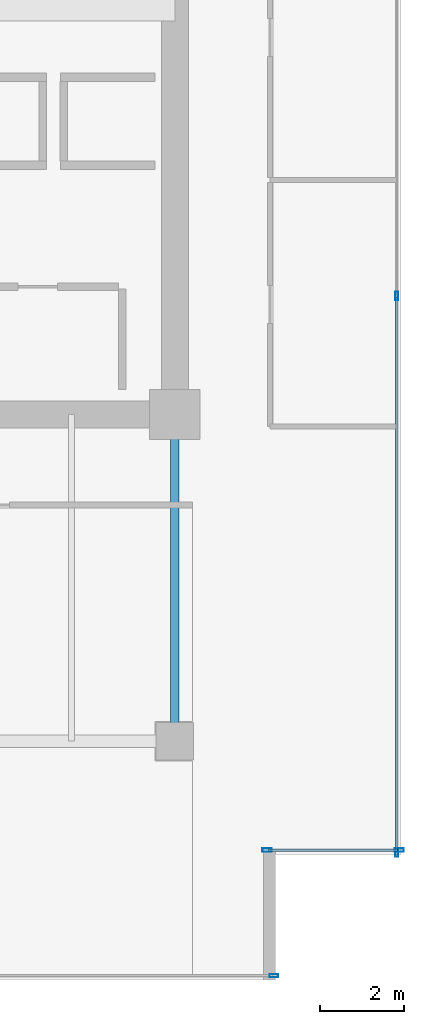
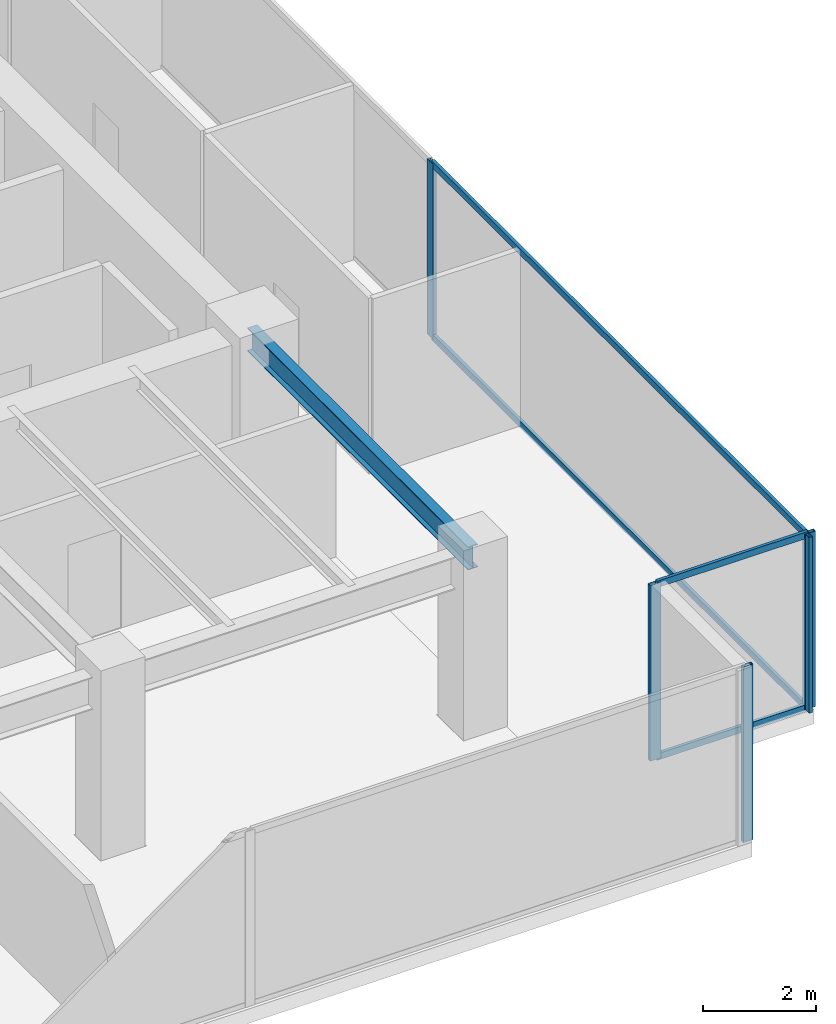
# One storey, part 21 of 33: 9 members, 1 beam, 3 elements without a shape of their own.
"""IFC4 building model written with IfcOpenShell, lengths in metres."""

import ifcopenshell
import ifcopenshell.guid

model = None  # the IFC model being written
_history = None  # IfcOwnerHistory: only IFC2X3 demands one
_inside = {}  # id of a spatial element -> (the spatial element, [elements in it])
_under = {}  # id of a project, library or spatial element -> (it, [spatial elements below it])
_declared = {}  # id of a project -> (the project, [libraries it declares])
_typed = {}  # id of a type object -> (the type object, [elements of that type])
_made_of = {}  # id of a material, layer set ... -> (it, [elements and type objects made of it])


def new_model(schema):
    """Start an empty IFC model of exactly this schema.

    Asked for "IFC4X3", IfcOpenShell would pick the latest addendum, in which some entities
    have other attributes; the version numbers below select the first issue.
    IFC2X3 requires an IfcOwnerHistory on every rooted entity: one is made here for all.
    """
    global model, _history
    if schema == "IFC4X3":
        model = ifcopenshell.file(schema_version=(4, 3, 0, 0))
    else:
        model = ifcopenshell.file(schema=schema)
    _inside.clear()
    _under.clear()
    _declared.clear()
    _typed.clear()
    _made_of.clear()
    _history = None
    if model.schema == "IFC2X3":
        org = make("IfcOrganization", Name="unknown")
        user = make(
            "IfcPersonAndOrganization",
            ThePerson=make("IfcPerson", FamilyName="unknown"),
            TheOrganization=org,
        )
        app = make(
            "IfcApplication",
            ApplicationDeveloper=org,
            Version="unknown",
            ApplicationFullName="unknown",
            ApplicationIdentifier="unknown",
        )
        _history = make(
            "IfcOwnerHistory",
            OwningUser=user,
            OwningApplication=app,
            ChangeAction="ADDED",
            CreationDate=0,
        )
    return model


def make(cls, **values):
    """One entity of the class cls with the attributes given. An attribute that is None is left unset."""
    return model.create_entity(
        cls, **{name: value for name, value in values.items() if value is not None}
    )


def rooted(cls, **values):
    """An entity with a GlobalId (a new one), such as an element, a storey or a relation."""
    return make(cls, GlobalId=ifcopenshell.guid.new(), OwnerHistory=_history, **values)


def si_unit(unit_type, name, prefix=None):
    """IfcSIUnit, for example si_unit("LENGTHUNIT", "METRE", prefix="MILLI")."""
    return make("IfcSIUnit", UnitType=unit_type, Prefix=prefix, Name=name)


def assignment(units):
    """IfcUnitAssignment: the units of a project."""
    return None if units is None else make("IfcUnitAssignment", Units=units)


def point(xyz):
    """IfcCartesianPoint."""
    return None if xyz is None else make("IfcCartesianPoint", Coordinates=xyz)


def direction(xyz):
    """IfcDirection."""
    return None if xyz is None else make("IfcDirection", DirectionRatios=xyz)


def frame(location, z_axis=None, x_axis=None):
    """IfcAxis2Placement3D, a coordinate frame: its origin and axes. An axis left out is left unset."""
    return make(
        "IfcAxis2Placement3D",
        Location=point(location),
        Axis=direction(z_axis),
        RefDirection=direction(x_axis),
    )


def frame_2d(location, x_axis=None):
    """IfcAxis2Placement2D, a coordinate frame in the plane: its origin and x axis."""
    return make(
        "IfcAxis2Placement2D", Location=point(location), RefDirection=direction(x_axis)
    )


def origin():
    """The frame at (0, 0, 0) with its axes left unset."""
    return frame((0.0, 0.0, 0.0))


def origin_2d():
    """The frame at (0, 0) in the plane with its x axis left unset."""
    return frame_2d((0.0, 0.0))


def place(relative_to, where):
    """IfcLocalPlacement: puts the frame where relative to a parent placement (None: the world)."""
    return make(
        "IfcLocalPlacement", PlacementRelTo=relative_to, RelativePlacement=where
    )


def context(
    kind, dimensions, precision=None, world=None, true_north=None, identifier=None
):
    """IfcGeometricRepresentationContext, for example the 3D "Model" context."""
    return make(
        "IfcGeometricRepresentationContext",
        ContextIdentifier=identifier,
        ContextType=kind,
        CoordinateSpaceDimension=dimensions,
        Precision=precision,
        WorldCoordinateSystem=world,
        TrueNorth=true_north,
    )


def subcontext(parent, identifier, kind, view, scale=None):
    """IfcGeometricRepresentationSubContext, for example "Body" below "Model"."""
    return make(
        "IfcGeometricRepresentationSubContext",
        ContextIdentifier=identifier,
        ContextType=kind,
        ParentContext=parent,
        TargetScale=scale,
        TargetView=view,
    )


def project(units=None, contexts=None):
    """IfcProject with its units and contexts."""
    return rooted(
        "IfcProject",
        Name="project",
        RepresentationContexts=contexts,
        UnitsInContext=assignment(units),
    )


def spatial(cls, under=None, at=None, **own):
    """A site, building, storey or space (cls), placed at a placement, below another one or the project."""
    s = rooted(cls, ObjectPlacement=at, **own)
    if under is not None:
        _under.setdefault(under.id(), (under, []))[1].append(s)
    return s


def profile(cls, at=None, kind="AREA", **sizes):
    """A parametric profile (cls). Its sizes go by their IFC names, for example OverallWidth=200.0."""
    return make(cls, ProfileType=kind, Position=at, **sizes)


def hollow_rectangle(**sizes):
    """IfcRectangleHollowProfileDef."""
    return profile("IfcRectangleHollowProfileDef", **sizes)


def i_section(**sizes):
    """IfcIShapeProfileDef."""
    return profile("IfcIShapeProfileDef", **sizes)


def extrude(swept, where, along, depth):
    """IfcExtrudedAreaSolid: the profile swept, set in the frame where, extruded along a direction by depth."""
    return make(
        "IfcExtrudedAreaSolid",
        SweptArea=swept,
        Position=where,
        ExtrudedDirection=direction(along),
        Depth=depth,
    )


def shape(context_of_items, identifier, shape_type, items):
    """IfcShapeRepresentation: the items that make up one representation, for example the "Body"."""
    return make(
        "IfcShapeRepresentation",
        ContextOfItems=context_of_items,
        RepresentationIdentifier=identifier,
        RepresentationType=shape_type,
        Items=items,
    )


def source(mapping_origin, context_of_items, identifier, shape_type, items):
    """IfcRepresentationMap: a shape defined once, which mapped items show again and again."""
    return make(
        "IfcRepresentationMap",
        MappingOrigin=mapping_origin,
        MappedRepresentation=shape(context_of_items, identifier, shape_type, items),
    )


def transform(
    local_origin,
    x_axis=None,
    y_axis=None,
    z_axis=None,
    scale=None,
    scale2=None,
    scale3=None,
    uniform=True,
):
    """IfcCartesianTransformationOperator3D, or its non-uniform kind. x_axis, y_axis, z_axis: its Axis1, 2, 3."""
    if uniform:
        return make(
            "IfcCartesianTransformationOperator3D",
            Axis1=direction(x_axis),
            Axis2=direction(y_axis),
            LocalOrigin=point(local_origin),
            Scale=scale,
            Axis3=direction(z_axis),
        )
    return make(
        "IfcCartesianTransformationOperator3DnonUniform",
        Axis1=direction(x_axis),
        Axis2=direction(y_axis),
        LocalOrigin=point(local_origin),
        Scale=scale,
        Axis3=direction(z_axis),
        Scale2=scale2,
        Scale3=scale3,
    )


def mapped(mapping_source, mapping_target):
    """IfcMappedItem: shows the shape of a source again, moved by a transform."""
    return make(
        "IfcMappedItem", MappingSource=mapping_source, MappingTarget=mapping_target
    )


def material(Name=None, Category=None):
    """IfcMaterial."""
    return make("IfcMaterial", Name=Name, Category=Category)


def layer(
    of_material, thickness, ventilated=None, Name=None, Category=None, Priority=None
):
    """IfcMaterialLayer: one layer of a wall or slab, of a material (None: an air gap)."""
    return make(
        "IfcMaterialLayer",
        Material=of_material,
        LayerThickness=thickness,
        IsVentilated=ventilated,
        Name=Name,
        Category=Category,
        Priority=Priority,
    )


def layer_set(layers, Name=None):
    """IfcMaterialLayerSet."""
    return make("IfcMaterialLayerSet", MaterialLayers=layers, LayerSetName=Name)


def material_profile(
    of_material, cross_section, Name=None, Category=None, Priority=None
):
    """IfcMaterialProfile: a cross section and its material."""
    return make(
        "IfcMaterialProfile",
        Name=Name,
        Material=of_material,
        Profile=cross_section,
        Priority=Priority,
        Category=Category,
    )


def profile_set(profiles, Name=None, composite=None):
    """IfcMaterialProfileSet."""
    return make(
        "IfcMaterialProfileSet",
        Name=Name,
        MaterialProfiles=profiles,
        CompositeProfile=composite,
    )


def made_of(thing, what):
    """Note that an element or type object is made of a material, layer set ...; save() writes the relation."""
    if what is not None:
        _made_of.setdefault(what.id(), (what, []))[1].append(thing)
    return thing


def type_object(cls, material=None, **own):
    """A type object (cls), such as IfcWallType, which elements share."""
    return made_of(rooted(cls, **own), material)


def type_shapes(of_type, sources):
    """Give a type object the sources (RepresentationMaps) that its elements show as mapped items."""
    of_type.RepresentationMaps = sources


def element(
    cls,
    number,
    at=None,
    inside=None,
    cuts=None,
    type_object=None,
    material=None,
    context=None,
    identifier="Body",
    shape_type=None,
    held_by="IfcProductDefinitionShape",
    body=None,
    shapes=None,
    **own,
):
    """One element of the class cls, such as IfcWall. Its Tag is "e" and its number.

    at: its placement. inside: the storey or other place that contains it. cuts: it is an
    opening in that element (IfcRelVoidsElement). A single representation is given by context,
    identifier, shape_type and body (its items); several are given by shapes. held_by: the class
    of the entity that holds the representations. save() writes the other relations.
    """
    e = rooted(cls, Tag="e%d" % number, ObjectPlacement=at, **own)
    if body is not None:
        shapes = [shape(context, identifier, shape_type, body)]
    if shapes is not None:
        e.Representation = make(held_by, Representations=shapes)
    if inside is not None:
        _inside.setdefault(inside.id(), (inside, []))[1].append(e)
    if cuts is not None:
        rooted(
            "IfcRelVoidsElement", RelatingBuildingElement=cuts, RelatedOpeningElement=e
        )
    if type_object is not None:
        _typed.setdefault(type_object.id(), (type_object, []))[1].append(e)
    return made_of(e, material)


def aggregate(whole, parts):
    """IfcRelAggregates: a whole, such as a stair, and the parts it consists of."""
    return rooted("IfcRelAggregates", RelatingObject=whole, RelatedObjects=parts)


def save(model, path):
    """Write the relations noted so far, then the file.

    IfcRelAggregates (storeys below a building ...), IfcRelContainedInSpatialStructure (elements
    in a storey), IfcRelDefinesByType, IfcRelAssociatesMaterial and IfcRelDeclares: one each for
    every whole, place, type object, material and project.
    """
    for whole, parts in _under.values():
        aggregate(whole, parts)
    for where, things in _inside.values():
        rooted(
            "IfcRelContainedInSpatialStructure",
            RelatedElements=things,
            RelatingStructure=where,
        )
    for kind, things in _typed.values():
        rooted("IfcRelDefinesByType", RelatedObjects=things, RelatingType=kind)
    for what, things in _made_of.values():
        rooted("IfcRelAssociatesMaterial", RelatedObjects=things, RelatingMaterial=what)
    for by, libraries in _declared.values():
        rooted("IfcRelDeclares", RelatingContext=by, RelatedDefinitions=libraries)
    model.write(path)


model = new_model("IFC4")

# Units and contexts
model_context = context("Model", 3, precision=1e-05, world=origin(), true_north=direction((0.0, 1.0)))
body_context = subcontext(model_context, "Body", "Model", "MODEL_VIEW")
ifc_project = project(units=[si_unit("LENGTHUNIT", "METRE"), si_unit("AREAUNIT", "SQUARE_METRE"), si_unit("VOLUMEUNIT", "CUBIC_METRE"), si_unit("PLANEANGLEUNIT", "RADIAN"), si_unit("MASSUNIT", "GRAM", prefix="KILO")], contexts=[model_context])

# Site, building, storey
site_placement = place(None, origin())
site = spatial("IfcSite", under=ifc_project, at=site_placement, CompositionType="ELEMENT")
building_placement = place(site_placement, origin())
building = spatial("IfcBuilding", under=site, at=building_placement, Name="Haelvirn Gate Laboratories", CompositionType="ELEMENT")
storey_placement = place(building_placement, frame((0.0, 0.0, 166.60009765625)))
storey = spatial("IfcBuildingStorey", under=building, at=storey_placement, Name="L40", CompositionType="ELEMENT", Elevation=166.60009765625)

# Beam
ifc_material_1 = material(Name="Steel SM355", Category="steel")
ifc_material_profile_1 = material_profile(ifc_material_1, i_section(OverallWidth=0.199951171875, OverallDepth=0.5, WebThickness=0.010009765625, FlangeThickness=0.01611328125, at=origin_2d()), Name="H-500x200x10x16")
ifc_profile_set_1 = profile_set([ifc_material_profile_1], Name="Steel SM355")
beam_type = type_object("IfcBeamType", Name="BM-SP-500", PredefinedType="SPANDREL", material=ifc_profile_set_1)
shared_shape_1 = source(origin(), body_context, "Body", "SweptSolid", [
    extrude(i_section(OverallWidth=0.199951171875, OverallDepth=0.5, WebThickness=0.010009765625, FlangeThickness=0.01611328125, at=origin_2d()), origin(), (0.0, 0.0, 1.0), 7.800048828125),
])
type_shapes(beam_type, [shared_shape_1])
beam_placement = place(storey_placement, frame((67.39990234375, 7.0, 3.539794921875), z_axis=(0.0, 1.0, 0.0), x_axis=(-1.0, 0.0, 0.0)))
element("IfcBeam", 1, at=beam_placement, inside=storey, type_object=beam_type, Name="L40 Perimeter Spandrel X67.4 (7.0-14.8)", PredefinedType="SPANDREL", context=body_context, shape_type="MappedRepresentation", body=[
    mapped(shared_shape_1, transform((0.0, 0.0, 0.0), scale=1.0)),
])

# Curtain wall, members
ifc_material_2 = material(Name="Anodised bronze unitised aluminium & triple low-E glass", Category="aluminium")
ifc_layer_1 = layer(ifc_material_2, 0.181884765625, Name="CW-SYS-5")
ifc_layer_set_1 = layer_set([ifc_layer_1], Name="Anodised bronze unitised aluminium & triple low-E glass")
curtain_wall_type_1 = type_object("IfcCurtainWallType", Name="CW-SYS-5", PredefinedType="NOTDEFINED", material=ifc_layer_set_1)
curtain_wall_1_placement = place(storey_placement, origin())
curtain_wall_1 = element("IfcCurtainWall", 2, at=curtain_wall_1_placement, inside=storey, type_object=curtain_wall_type_1, Name="L40 Unitised Curtain Wall CW-L40-P0-E06-1", PredefinedType="NOTDEFINED")
ifc_material_3 = material(Name="Extruded aluminium 6063-T6 (anodised bronze)", Category="aluminium")
ifc_material_profile_2 = material_profile(ifc_material_3, hollow_rectangle(XDim=0.06494140625, YDim=0.139892578125, WallThickness=0.00390625, at=origin_2d()), Name="CWT-140x65x4")
ifc_profile_set_2 = profile_set([ifc_material_profile_2], Name="Extruded aluminium 6063-T6 (anodised bronze)")
member_type_1 = type_object("IfcMemberType", Name="CWT-T140", PredefinedType="USERDEFINED", material=ifc_profile_set_2)
shared_shape_2 = source(origin(), body_context, "Body", "SweptSolid", [
    extrude(hollow_rectangle(XDim=0.06494140625, YDim=0.139892578125, WallThickness=0.00390625, at=origin_2d()), origin(), (0.0, 0.0, 1.0), 3.080078125),
])
member_1_placement = place(storey_placement, frame((69.639892578125, 4.39990234375, 0.032470703125), z_axis=(1.0, 0.0, 0.0), x_axis=(0.0, 1.0, 0.0)))
member_1 = element("IfcMember", 3, at=member_1_placement, type_object=member_type_1, Name="CW5 transom 1.1", ObjectType="TRANSOM", PredefinedType="USERDEFINED", context=body_context, shape_type="MappedRepresentation", body=[
    mapped(shared_shape_2, transform((0.0, 0.0, 0.0), scale=1.0)),
])
member_2_placement = place(storey_placement, frame((69.639892578125, 4.39990234375, 3.75732421875), z_axis=(1.0, 0.0, 0.0), x_axis=(0.0, 1.0, 0.0)))
member_2 = element("IfcMember", 4, at=member_2_placement, type_object=member_type_1, Name="CW5 transom 1.2", ObjectType="TRANSOM", PredefinedType="USERDEFINED", context=body_context, shape_type="MappedRepresentation", body=[
    mapped(shared_shape_2, transform((0.0, 0.0, 0.0), scale=1.0)),
])

ifc_layer_2 = layer(ifc_material_2, 0.179931640625, Name="CW-SYS-3")
ifc_layer_set_2 = layer_set([ifc_layer_2], Name="Anodised bronze unitised aluminium & triple low-E glass")
curtain_wall_type_2 = type_object("IfcCurtainWallType", Name="CW-SYS-3", PredefinedType="NOTDEFINED", material=ifc_layer_set_2)
curtain_wall_2_placement = place(storey_placement, origin())
curtain_wall_2 = element("IfcCurtainWall", 5, at=curtain_wall_2_placement, inside=storey, type_object=curtain_wall_type_2, Name="L40 Unitised Curtain Wall CW-L40-P0-E07", PredefinedType="NOTDEFINED")
shared_shape_3 = source(origin(), body_context, "Body", "SweptSolid", [
    extrude(hollow_rectangle(XDim=0.06494140625, YDim=0.139892578125, WallThickness=0.00390625, at=origin_2d()), origin(), (0.0, 0.0, 1.0), 13.220947265625),
])
type_shapes(member_type_1, [shared_shape_2, shared_shape_3])
member_3_placement = place(storey_placement, frame((72.699951171875, 4.375, 0.032470703125), z_axis=(0.0, 1.0, 0.0), x_axis=(-1.0, 0.0, 0.0)))
member_3 = element("IfcMember", 6, at=member_3_placement, type_object=member_type_1, Name="CW3 transom 1.1", ObjectType="TRANSOM", PredefinedType="USERDEFINED", context=body_context, shape_type="MappedRepresentation", body=[
    mapped(shared_shape_3, transform((0.0, 0.0, 0.0), scale=1.0)),
])
member_4_placement = place(storey_placement, frame((72.699951171875, 4.375, 3.75732421875), z_axis=(0.0, 1.0, 0.0), x_axis=(-1.0, 0.0, 0.0)))
member_4 = element("IfcMember", 7, at=member_4_placement, type_object=member_type_1, Name="CW3 transom 1.2", ObjectType="TRANSOM", PredefinedType="USERDEFINED", context=body_context, shape_type="MappedRepresentation", body=[
    mapped(shared_shape_3, transform((0.0, 0.0, 0.0), scale=1.0)),
])

# Curtain wall, member
curtain_wall_3_placement = place(storey_placement, origin())
curtain_wall_3 = element("IfcCurtainWall", 8, at=curtain_wall_3_placement, inside=storey, type_object=curtain_wall_type_2, Name="L40 Unitised Curtain Wall CW-L40-P0-E04-1", PredefinedType="NOTDEFINED")
ifc_material_profile_3 = material_profile(ifc_material_3, hollow_rectangle(XDim=0.074951171875, YDim=0.199951171875, WallThickness=0.0048828125, at=origin_2d()), Name="CWM-200x75x5")
ifc_profile_set_3 = profile_set([ifc_material_profile_3], Name="Extruded aluminium 6063-T6 (anodised bronze)")
member_type_2 = type_object("IfcMemberType", Name="CWM-T200", PredefinedType="MULLION", material=ifc_profile_set_3)
shared_shape_4 = source(origin(), body_context, "Body", "SweptSolid", [
    extrude(hollow_rectangle(XDim=0.074951171875, YDim=0.199951171875, WallThickness=0.0048828125, at=origin_2d()), origin(), (0.0, 0.0, 1.0), 3.789794921875),
])
type_shapes(member_type_2, [shared_shape_4])
member_5_placement = place(storey_placement, frame((69.762451171875, 1.39990234375, 0.0), z_axis=(0.0, 0.0, 1.0), x_axis=(0.0, 1.0, 0.0)))
member_5 = element("IfcMember", 9, at=member_5_placement, type_object=member_type_2, Name="CW3 mullion 3", PredefinedType="MULLION", context=body_context, shape_type="MappedRepresentation", body=[
    mapped(shared_shape_4, transform((0.0, 0.0, 0.0), scale=1.0)),
])
aggregate(curtain_wall_3, [member_5])

# Member
member_6_placement = place(storey_placement, frame((72.699951171875, 4.33740234375, 0.0), z_axis=(0.0, 0.0, 1.0), x_axis=(-1.0, 0.0, 0.0)))
member_6 = element("IfcMember", 10, at=member_6_placement, type_object=member_type_2, Name="CW3 mullion 1", PredefinedType="MULLION", context=body_context, shape_type="MappedRepresentation", body=[
    mapped(shared_shape_4, transform((0.0, 0.0, 0.0), scale=1.0)),
])

member_7_placement = place(storey_placement, frame((72.699951171875, 17.63330078125, 0.0), z_axis=(0.0, 0.0, 1.0), x_axis=(-1.0, 0.0, 0.0)))
member_7 = element("IfcMember", 11, at=member_7_placement, type_object=member_type_2, Name="CW3 mullion 2", PredefinedType="MULLION", context=body_context, shape_type="MappedRepresentation", body=[
    mapped(shared_shape_4, transform((0.0, 0.0, 0.0), scale=1.0)),
])

aggregate(curtain_wall_2, [member_6, member_7, member_3, member_4])

ifc_material_profile_4 = material_profile(ifc_material_3, hollow_rectangle(XDim=0.080078125, YDim=0.219970703125, WallThickness=0.006103515625, at=origin_2d()), Name="CWM-220x80x6")
ifc_profile_set_4 = profile_set([ifc_material_profile_4], Name="Extruded aluminium 6063-T6 (anodised bronze)")
member_type_3 = type_object("IfcMemberType", Name="CWM-T220", PredefinedType="MULLION", material=ifc_profile_set_4)
shared_shape_5 = source(origin(), body_context, "Body", "SweptSolid", [
    extrude(hollow_rectangle(XDim=0.080078125, YDim=0.219970703125, WallThickness=0.006103515625, at=origin_2d()), origin(), (0.0, 0.0, 1.0), 3.789794921875),
])
type_shapes(member_type_3, [shared_shape_5])
member_8_placement = place(storey_placement, frame((69.60009765625, 4.39990234375, 0.0), z_axis=(0.0, 0.0, 1.0), x_axis=(0.0, 1.0, 0.0)))
member_8 = element("IfcMember", 12, at=member_8_placement, type_object=member_type_3, Name="CW5 mullion 1", PredefinedType="MULLION", context=body_context, shape_type="MappedRepresentation", body=[
    mapped(shared_shape_5, transform((0.0, 0.0, 0.0), scale=1.0)),
])

member_9_placement = place(storey_placement, frame((72.760009765625, 4.39990234375, 0.0), z_axis=(0.0, 0.0, 1.0), x_axis=(0.0, 1.0, 0.0)))
member_9 = element("IfcMember", 13, at=member_9_placement, type_object=member_type_3, Name="CW5 mullion 2", PredefinedType="MULLION", context=body_context, shape_type="MappedRepresentation", body=[
    mapped(shared_shape_5, transform((0.0, 0.0, 0.0), scale=1.0)),
])

aggregate(curtain_wall_1, [member_8, member_9, member_1, member_2])

save(model, "model.ifc")
